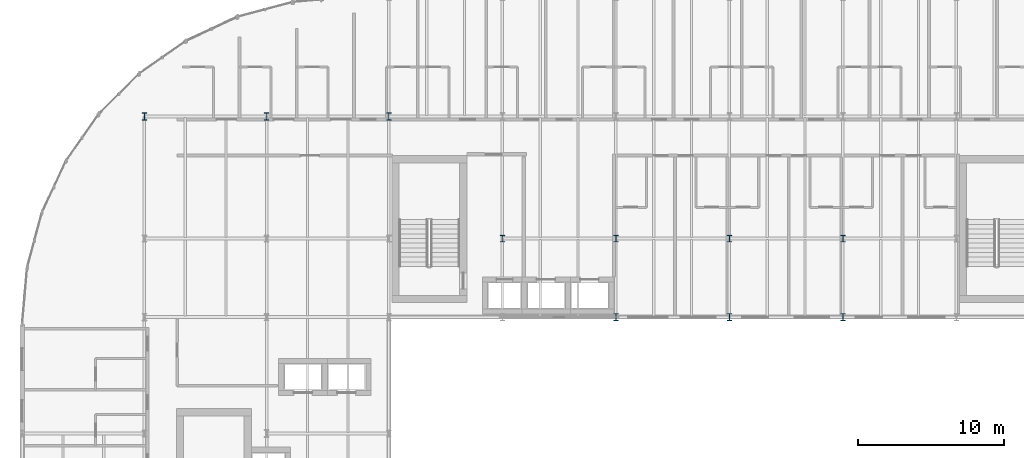
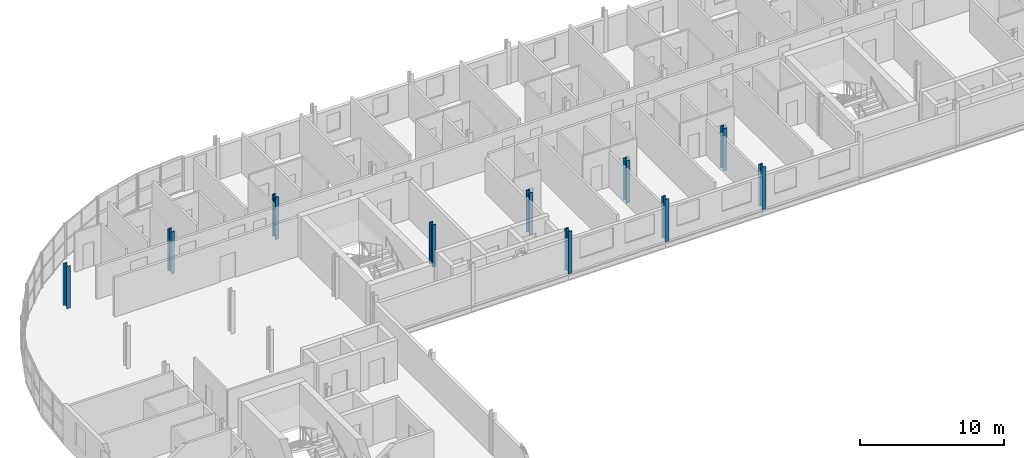
# One storey, part 2 of 36: 10 columns.
"""IFC4 building model written with IfcOpenShell, lengths in metres."""

from ifc_helpers import new_model, si_unit, direction, frame, origin, origin_2d, place, context, subcontext, project, spatial, i_section, extrude, material, material_profile, profile_set, type_object, element, save


model = new_model("IFC4")

# Units and contexts
model_context = context("Model", 3, precision=1e-05, world=origin(), true_north=direction((0.0, 1.0)))
body_context = subcontext(model_context, "Body", "Model", "MODEL_VIEW")
ifc_project = project(units=[si_unit("LENGTHUNIT", "METRE"), si_unit("AREAUNIT", "SQUARE_METRE"), si_unit("VOLUMEUNIT", "CUBIC_METRE"), si_unit("PLANEANGLEUNIT", "RADIAN"), si_unit("MASSUNIT", "GRAM", prefix="KILO")], contexts=[model_context])

# Site, building, storey
site_placement = place(None, origin())
site = spatial("IfcSite", under=ifc_project, at=site_placement, CompositionType="ELEMENT")
building_placement = place(site_placement, origin())
building = spatial("IfcBuilding", under=site, at=building_placement, Name="Sefraquen Railside Congress Hotel", CompositionType="ELEMENT")
storey_placement = place(building_placement, frame((0.0, 0.0, 28.199951171875)))
storey = spatial("IfcBuildingStorey", under=building, at=storey_placement, Name="L06", CompositionType="ELEMENT", Elevation=28.199951171875)

# Columns
ifc_material = material(Name="Steel S355JR", Category="steel")
ifc_material_profile_1 = material_profile(ifc_material, i_section(OverallWidth=0.300048828125, OverallDepth=0.449951171875, WebThickness=0.013916015625, FlangeThickness=0.02587890625, FilletRadius=0.027099609375, at=origin_2d()), Name="HEB 450")
ifc_profile_set_1 = profile_set([ifc_material_profile_1], Name="Steel S355JR")
column_type_1 = type_object("IfcColumnType", Name="TC-HEB-450", PredefinedType="COLUMN", material=ifc_profile_set_1)
for number, where, z_axis, x_axis, name in (
    (1, (33.0, 101.39990234375, 0.0), (0.0, 0.0, 1.0), (1.0, 0.0, 0.0), "Structural column 5-N L06"),
    (2, (40.800048828125, 101.39990234375, 0.0), (0.0, 0.0, 1.0), (1.0, 0.0, 0.0), "Structural column 6-N L06"),
    (3, (48.60009765625, 101.39990234375, 0.0), (0.0, 0.0, 1.0), (1.0, 0.0, 0.0), "Structural column 7-N L06"),
    (4, (56.39990234375, 101.39990234375, 0.0), (0.0, 0.0, 1.0), (1.0, 0.0, 0.0), "Structural column 8-N L06"),
):
    element("IfcColumn", number, at=place(storey_placement, frame(where, z_axis=z_axis, x_axis=x_axis)), inside=storey, type_object=column_type_1, Name=name, PredefinedType="COLUMN", context=body_context, shape_type="SweptSolid", body=[
        extrude(i_section(OverallWidth=0.300048828125, OverallDepth=0.449951171875, WebThickness=0.013916015625, FlangeThickness=0.02587890625, FilletRadius=0.027099609375, at=origin_2d()), origin(), (0.0, 0.0, 1.0), 3.60009765625),
    ])
ifc_material_profile_2 = material_profile(ifc_material, i_section(OverallWidth=0.300048828125, OverallDepth=0.5, WebThickness=0.014404296875, FlangeThickness=0.028076171875, FilletRadius=0.027099609375, at=origin_2d()), Name="HEB 500")
ifc_profile_set_2 = profile_set([ifc_material_profile_2], Name="Steel S355JR")
column_type_2 = type_object("IfcColumnType", Name="TC-HEB-500", PredefinedType="COLUMN", material=ifc_profile_set_2)
for number, where, z_axis, x_axis, name in (
    (5, (8.39990234375, 109.800048828125, 0.0), (0.0, 0.0, 1.0), (1.0, 0.0, 0.0), "Structural column 2-P L06"),
    (6, (16.800048828125, 109.800048828125, 0.0), (0.0, 0.0, 1.0), (1.0, 0.0, 0.0), "Structural column 3-P L06"),
    (7, (25.199951171875, 109.800048828125, 0.0), (0.0, 0.0, 1.0), (1.0, 0.0, 0.0), "Structural column 4-P L06"),
    (8, (40.800048828125, 96.0, 0.0), (0.0, 0.0, 1.0), (1.0, 0.0, 0.0), "Structural column 6-M L06"),
    (9, (48.60009765625, 96.0, 0.0), (0.0, 0.0, 1.0), (1.0, 0.0, 0.0), "Structural column 7-M L06"),
    (10, (56.39990234375, 96.0, 0.0), (0.0, 0.0, 1.0), (1.0, 0.0, 0.0), "Structural column 8-M L06"),
):
    element("IfcColumn", number, at=place(storey_placement, frame(where, z_axis=z_axis, x_axis=x_axis)), inside=storey, type_object=column_type_2, Name=name, PredefinedType="COLUMN", context=body_context, shape_type="SweptSolid", body=[
        extrude(i_section(OverallWidth=0.300048828125, OverallDepth=0.5, WebThickness=0.014404296875, FlangeThickness=0.028076171875, FilletRadius=0.027099609375, at=origin_2d()), origin(), (0.0, 0.0, 1.0), 3.60009765625),
    ])

save(model, "model.ifc")
